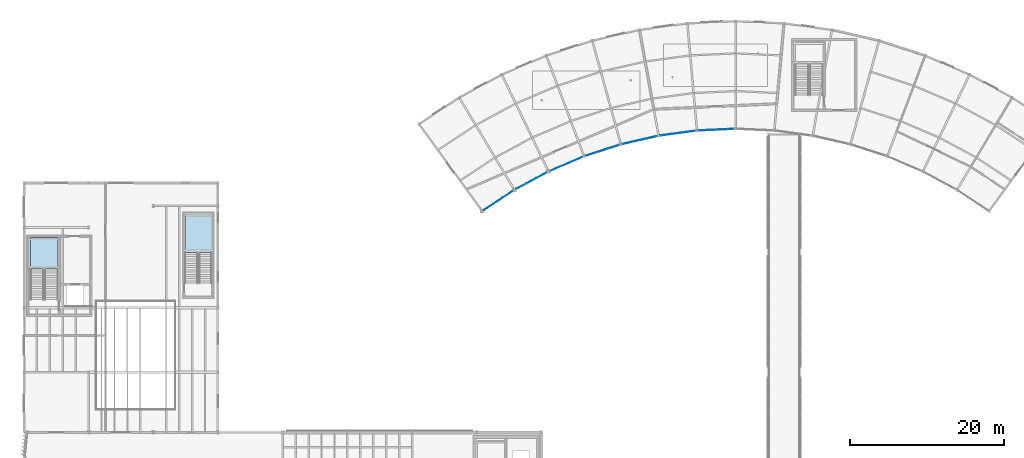
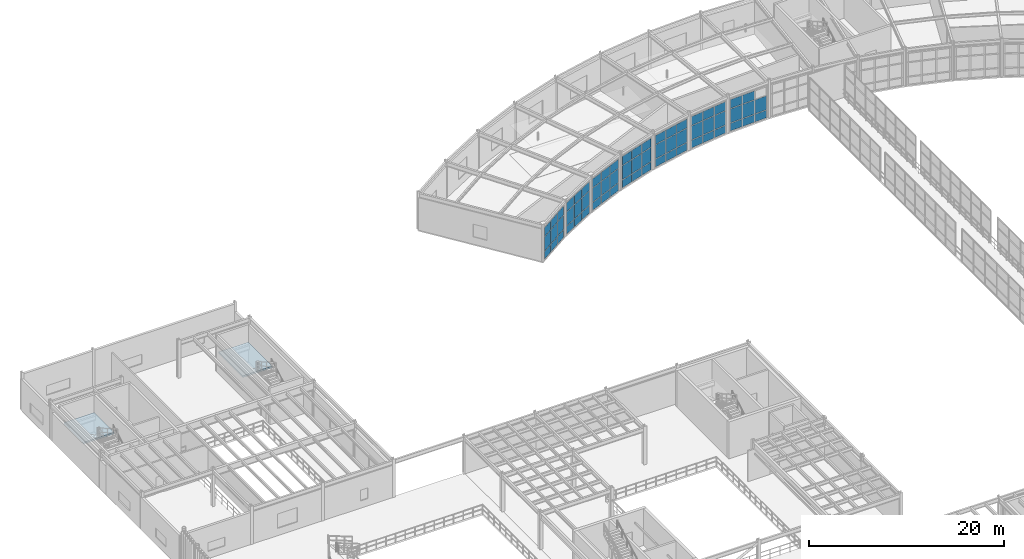
# One storey, part 79 of 105: 62 plates, 2 slabs, 9 elements without a shape of their own.
"""IFC4 building model written with IfcOpenShell, lengths in metres."""

from ifc_helpers import new_model, si_unit, direction, frame, origin, origin_2d, place, context, subcontext, project, spatial, polyline, rectangle, outline, extrude, material, layer, layer_set, type_object, element, aggregate, save


model = new_model("IFC4")

# Units and contexts
model_context = context("Model", 3, precision=1e-05, world=origin(), true_north=direction((0.0, 1.0)))
body_context = subcontext(model_context, "Body", "Model", "MODEL_VIEW")
ifc_project = project(units=[si_unit("LENGTHUNIT", "METRE"), si_unit("AREAUNIT", "SQUARE_METRE"), si_unit("VOLUMEUNIT", "CUBIC_METRE"), si_unit("PLANEANGLEUNIT", "RADIAN"), si_unit("MASSUNIT", "GRAM", prefix="KILO")], contexts=[model_context])

# Site, building, storey
site_placement = place(None, origin())
site = spatial("IfcSite", under=ifc_project, at=site_placement, CompositionType="ELEMENT")
building_placement = place(site_placement, origin())
building = spatial("IfcBuilding", under=site, at=building_placement, Name="Selat Folded Stagehouse", CompositionType="ELEMENT")
storey_placement = place(building_placement, frame((0.0, 0.0, 10.199951171875)))
storey = spatial("IfcBuildingStorey", under=building, at=storey_placement, Name="L02", CompositionType="ELEMENT", Elevation=10.199951171875)

# Curtain wall, plates
ifc_material_1 = material(Name="Aluminium 6063-T6", Category="aluminium")
ifc_layer_1 = layer(ifc_material_1, 0.18994140625)
ifc_layer_set_1 = layer_set([ifc_layer_1], Name="Aluminium 6063-T6")
curtain_wall_type = type_object("IfcCurtainWallType", Name="CW-REH-ARC", PredefinedType="NOTDEFINED", material=ifc_layer_set_1)
curtain_wall_1_placement = place(storey_placement, origin())
curtain_wall_1 = element("IfcCurtainWall", 1, at=curtain_wall_1_placement, inside=storey, type_object=curtain_wall_type, Name="L02 curtain wall CW-REH-L02-00", PredefinedType="NOTDEFINED")
ifc_material_2 = material(Name="Laminated low-E double glazing", Category="glass")
ifc_layer_2 = layer(ifc_material_2, 0.031982421875)
ifc_layer_set_2 = layer_set([ifc_layer_2], Name="Laminated low-E double glazing")
plate_type = type_object("IfcPlateType", Name="CWP-GLZ-DGU32", PredefinedType="CURTAIN_PANEL", material=ifc_layer_set_2)
plate_1_placement = place(storey_placement, frame((62.8271484375, 85.51171875, 0.06494140625), z_axis=(0.0, 0.0, 1.0), x_axis=(-0.834581363399, -0.550884695619, 0.0)))
plate_1 = element("IfcPlate", 2, at=plate_1_placement, type_object=plate_type, Name="CW-06 panel 1.1", PredefinedType="CURTAIN_PANEL", context=body_context, shape_type="SweptSolid", body=[
    extrude(rectangle(XDim=1.418212890625, YDim=0.031982421875, at=origin_2d()), origin(), (0.0, 0.0, 1.0), 0.952392578125),
])
plate_2_placement = place(storey_placement, frame((62.8271484375, 85.51171875, 1.08251953125), z_axis=(0.0, 0.0, 1.0), x_axis=(-0.834581363399, -0.550884695619, 0.0)))
plate_2 = element("IfcPlate", 3, at=plate_2_placement, type_object=plate_type, Name="CW-06 panel 1.2", PredefinedType="CURTAIN_PANEL", context=body_context, shape_type="SweptSolid", body=[
    extrude(rectangle(XDim=1.418212890625, YDim=0.031982421875, at=origin_2d()), origin(), (0.0, 0.0, 1.0), 1.735107421875),
])
plate_3_placement = place(storey_placement, frame((62.8271484375, 85.51171875, 2.882568359375), z_axis=(0.0, 0.0, 1.0), x_axis=(-0.834581363399, -0.550884695619, 0.0)))
plate_3 = element("IfcPlate", 4, at=plate_3_placement, type_object=plate_type, Name="CW-06 panel 1.3", PredefinedType="CURTAIN_PANEL", context=body_context, shape_type="SweptSolid", body=[
    extrude(rectangle(XDim=1.418212890625, YDim=0.031982421875, at=origin_2d()), origin(), (0.0, 0.0, 1.0), 1.1025390625),
])
plate_4_placement = place(storey_placement, frame((61.580810546875, 84.68896484375, 0.06494140625), z_axis=(0.0, 0.0, 1.0), x_axis=(-0.834581363399, -0.550884695619, 0.0)))
plate_4 = element("IfcPlate", 5, at=plate_4_placement, type_object=plate_type, Name="CW-06 panel 2.1", PredefinedType="CURTAIN_PANEL", context=body_context, shape_type="SweptSolid", body=[
    extrude(rectangle(XDim=1.4482421875, YDim=0.031982421875, at=origin_2d()), origin(), (0.0, 0.0, 1.0), 0.952392578125),
])
plate_5_placement = place(storey_placement, frame((61.580810546875, 84.68896484375, 1.08251953125), z_axis=(0.0, 0.0, 1.0), x_axis=(-0.834581363399, -0.550884695619, 0.0)))
plate_5 = element("IfcPlate", 6, at=plate_5_placement, type_object=plate_type, Name="CW-06 panel 2.2", PredefinedType="CURTAIN_PANEL", context=body_context, shape_type="SweptSolid", body=[
    extrude(rectangle(XDim=1.4482421875, YDim=0.031982421875, at=origin_2d()), origin(), (0.0, 0.0, 1.0), 1.735107421875),
])
plate_6_placement = place(storey_placement, frame((61.580810546875, 84.68896484375, 2.882568359375), z_axis=(0.0, 0.0, 1.0), x_axis=(-0.834581363399, -0.550884695619, 0.0)))
plate_6 = element("IfcPlate", 7, at=plate_6_placement, type_object=plate_type, Name="CW-06 panel 2.3", PredefinedType="CURTAIN_PANEL", context=body_context, shape_type="SweptSolid", body=[
    extrude(rectangle(XDim=1.4482421875, YDim=0.031982421875, at=origin_2d()), origin(), (0.0, 0.0, 1.0), 1.1025390625),
])
plate_7_placement = place(storey_placement, frame((60.33447265625, 83.866455078125, 0.06494140625), z_axis=(0.0, 0.0, 1.0), x_axis=(-0.834581363399, -0.550884695619, 0.0)))
plate_7 = element("IfcPlate", 8, at=plate_7_placement, type_object=plate_type, Name="CW-06 panel 3.1", PredefinedType="CURTAIN_PANEL", context=body_context, shape_type="SweptSolid", body=[
    extrude(rectangle(XDim=1.418212890625, YDim=0.031982421875, at=origin_2d()), origin(), (0.0, 0.0, 1.0), 0.952392578125),
])
plate_8_placement = place(storey_placement, frame((60.33447265625, 83.866455078125, 1.08251953125), z_axis=(0.0, 0.0, 1.0), x_axis=(-0.834581363399, -0.550884695619, 0.0)))
plate_8 = element("IfcPlate", 9, at=plate_8_placement, type_object=plate_type, Name="CW-06 panel 3.2", PredefinedType="CURTAIN_PANEL", context=body_context, shape_type="SweptSolid", body=[
    extrude(rectangle(XDim=1.418212890625, YDim=0.031982421875, at=origin_2d()), origin(), (0.0, 0.0, 1.0), 1.735107421875),
])
plate_9_placement = place(storey_placement, frame((60.33447265625, 83.866455078125, 2.882568359375), z_axis=(0.0, 0.0, 1.0), x_axis=(-0.834581363399, -0.550884695619, 0.0)))
plate_9 = element("IfcPlate", 10, at=plate_9_placement, type_object=plate_type, Name="CW-06 panel 3.3", PredefinedType="CURTAIN_PANEL", context=body_context, shape_type="SweptSolid", body=[
    extrude(rectangle(XDim=1.418212890625, YDim=0.031982421875, at=origin_2d()), origin(), (0.0, 0.0, 1.0), 1.1025390625),
])
aggregate(curtain_wall_1, [plate_1, plate_2, plate_3, plate_4, plate_5, plate_6, plate_7, plate_8, plate_9])

curtain_wall_2_placement = place(storey_placement, origin())
curtain_wall_2 = element("IfcCurtainWall", 11, at=curtain_wall_2_placement, inside=storey, type_object=curtain_wall_type, Name="L02 curtain wall CW-REH-L02-01", PredefinedType="NOTDEFINED")
plate_10_placement = place(storey_placement, frame((67.205078125, 87.971435546875, 0.06494140625), z_axis=(0.0, 0.0, 1.0), x_axis=(-0.880600927119, -0.473858636259, 0.0)))
plate_10 = element("IfcPlate", 12, at=plate_10_placement, type_object=plate_type, Name="CW-06 panel 1.1", PredefinedType="CURTAIN_PANEL", context=body_context, shape_type="SweptSolid", body=[
    extrude(rectangle(XDim=1.418212890625, YDim=0.031982421875, at=origin_2d()), origin(), (0.0, 0.0, 1.0), 0.952392578125),
])
plate_11_placement = place(storey_placement, frame((67.205078125, 87.971435546875, 1.08251953125), z_axis=(0.0, 0.0, 1.0), x_axis=(-0.880600927119, -0.473858636259, 0.0)))
plate_11 = element("IfcPlate", 13, at=plate_11_placement, type_object=plate_type, Name="CW-06 panel 1.2", PredefinedType="CURTAIN_PANEL", context=body_context, shape_type="SweptSolid", body=[
    extrude(rectangle(XDim=1.418212890625, YDim=0.031982421875, at=origin_2d()), origin(), (0.0, 0.0, 1.0), 1.735107421875),
])
plate_12_placement = place(storey_placement, frame((67.205078125, 87.971435546875, 2.882568359375), z_axis=(0.0, 0.0, 1.0), x_axis=(-0.880600927119, -0.473858636259, 0.0)))
plate_12 = element("IfcPlate", 14, at=plate_12_placement, type_object=plate_type, Name="CW-06 panel 1.3", PredefinedType="CURTAIN_PANEL", context=body_context, shape_type="SweptSolid", body=[
    extrude(rectangle(XDim=1.418212890625, YDim=0.031982421875, at=origin_2d()), origin(), (0.0, 0.0, 1.0), 1.1025390625),
])
plate_13_placement = place(storey_placement, frame((65.89013671875, 87.263671875, 0.06494140625), z_axis=(0.0, 0.0, 1.0), x_axis=(-0.880600927119, -0.473858636259, 0.0)))
plate_13 = element("IfcPlate", 15, at=plate_13_placement, type_object=plate_type, Name="CW-06 panel 2.1", PredefinedType="CURTAIN_PANEL", context=body_context, shape_type="SweptSolid", body=[
    extrude(rectangle(XDim=1.4482421875, YDim=0.031982421875, at=origin_2d()), origin(), (0.0, 0.0, 1.0), 0.952392578125),
])
plate_14_placement = place(storey_placement, frame((65.89013671875, 87.263671875, 1.08251953125), z_axis=(0.0, 0.0, 1.0), x_axis=(-0.880600927119, -0.473858636259, 0.0)))
plate_14 = element("IfcPlate", 16, at=plate_14_placement, type_object=plate_type, Name="CW-06 panel 2.2", PredefinedType="CURTAIN_PANEL", context=body_context, shape_type="SweptSolid", body=[
    extrude(rectangle(XDim=1.4482421875, YDim=0.031982421875, at=origin_2d()), origin(), (0.0, 0.0, 1.0), 1.735107421875),
])
plate_15_placement = place(storey_placement, frame((65.89013671875, 87.263671875, 2.882568359375), z_axis=(0.0, 0.0, 1.0), x_axis=(-0.880600927119, -0.473858636259, 0.0)))
plate_15 = element("IfcPlate", 17, at=plate_15_placement, type_object=plate_type, Name="CW-06 panel 2.3", PredefinedType="CURTAIN_PANEL", context=body_context, shape_type="SweptSolid", body=[
    extrude(rectangle(XDim=1.4482421875, YDim=0.031982421875, at=origin_2d()), origin(), (0.0, 0.0, 1.0), 1.1025390625),
])
plate_16_placement = place(storey_placement, frame((64.574951171875, 86.55615234375, 0.06494140625), z_axis=(0.0, 0.0, 1.0), x_axis=(-0.880600927119, -0.473858636259, 0.0)))
plate_16 = element("IfcPlate", 18, at=plate_16_placement, type_object=plate_type, Name="CW-06 panel 3.1", PredefinedType="CURTAIN_PANEL", context=body_context, shape_type="SweptSolid", body=[
    extrude(rectangle(XDim=1.418212890625, YDim=0.031982421875, at=origin_2d()), origin(), (0.0, 0.0, 1.0), 0.952392578125),
])
plate_17_placement = place(storey_placement, frame((64.574951171875, 86.55615234375, 1.08251953125), z_axis=(0.0, 0.0, 1.0), x_axis=(-0.880600927119, -0.473858636259, 0.0)))
plate_17 = element("IfcPlate", 19, at=plate_17_placement, type_object=plate_type, Name="CW-06 panel 3.2", PredefinedType="CURTAIN_PANEL", context=body_context, shape_type="SweptSolid", body=[
    extrude(rectangle(XDim=1.418212890625, YDim=0.031982421875, at=origin_2d()), origin(), (0.0, 0.0, 1.0), 1.735107421875),
])
plate_18_placement = place(storey_placement, frame((64.574951171875, 86.55615234375, 2.882568359375), z_axis=(0.0, 0.0, 1.0), x_axis=(-0.880600927119, -0.473858636259, 0.0)))
plate_18 = element("IfcPlate", 20, at=plate_18_placement, type_object=plate_type, Name="CW-06 panel 3.3", PredefinedType="CURTAIN_PANEL", context=body_context, shape_type="SweptSolid", body=[
    extrude(rectangle(XDim=1.418212890625, YDim=0.031982421875, at=origin_2d()), origin(), (0.0, 0.0, 1.0), 1.1025390625),
])
aggregate(curtain_wall_2, [plate_10, plate_11, plate_12, plate_13, plate_14, plate_15, plate_16, plate_17, plate_18])

curtain_wall_3_placement = place(storey_placement, origin())
curtain_wall_3 = element("IfcCurtainWall", 21, at=curtain_wall_3_placement, inside=storey, type_object=curtain_wall_type, Name="L02 curtain wall CW-REH-L02-02", PredefinedType="NOTDEFINED")
plate_19_placement = place(storey_placement, frame((71.785888671875, 90.028564453125, 0.06494140625), z_axis=(0.0, 0.0, 1.0), x_axis=(-0.919533245639, -0.393012226483, 0.0)))
plate_19 = element("IfcPlate", 22, at=plate_19_placement, type_object=plate_type, Name="CW-06 panel 1.1", PredefinedType="CURTAIN_PANEL", context=body_context, shape_type="SweptSolid", body=[
    extrude(rectangle(XDim=1.418212890625, YDim=0.031982421875, at=origin_2d()), origin(), (0.0, 0.0, 1.0), 0.952392578125),
])
plate_20_placement = place(storey_placement, frame((71.785888671875, 90.028564453125, 1.08251953125), z_axis=(0.0, 0.0, 1.0), x_axis=(-0.919533245639, -0.393012226483, 0.0)))
plate_20 = element("IfcPlate", 23, at=plate_20_placement, type_object=plate_type, Name="CW-06 panel 1.2", PredefinedType="CURTAIN_PANEL", context=body_context, shape_type="SweptSolid", body=[
    extrude(rectangle(XDim=1.418212890625, YDim=0.031982421875, at=origin_2d()), origin(), (0.0, 0.0, 1.0), 1.735107421875),
])
plate_21_placement = place(storey_placement, frame((71.785888671875, 90.028564453125, 2.882568359375), z_axis=(0.0, 0.0, 1.0), x_axis=(-0.919533245639, -0.393012226483, 0.0)))
plate_21 = element("IfcPlate", 24, at=plate_21_placement, type_object=plate_type, Name="CW-06 panel 1.3", PredefinedType="CURTAIN_PANEL", context=body_context, shape_type="SweptSolid", body=[
    extrude(rectangle(XDim=1.418212890625, YDim=0.031982421875, at=origin_2d()), origin(), (0.0, 0.0, 1.0), 1.1025390625),
])
plate_22_placement = place(storey_placement, frame((70.412841796875, 89.441650390625, 0.06494140625), z_axis=(0.0, 0.0, 1.0), x_axis=(-0.919533245639, -0.393012226483, 0.0)))
plate_22 = element("IfcPlate", 25, at=plate_22_placement, type_object=plate_type, Name="CW-06 panel 2.1", PredefinedType="CURTAIN_PANEL", context=body_context, shape_type="SweptSolid", body=[
    extrude(rectangle(XDim=1.4482421875, YDim=0.031982421875, at=origin_2d()), origin(), (0.0, 0.0, 1.0), 0.952392578125),
])
plate_23_placement = place(storey_placement, frame((70.412841796875, 89.441650390625, 1.08251953125), z_axis=(0.0, 0.0, 1.0), x_axis=(-0.919533245639, -0.393012226483, 0.0)))
plate_23 = element("IfcPlate", 26, at=plate_23_placement, type_object=plate_type, Name="CW-06 panel 2.2", PredefinedType="CURTAIN_PANEL", context=body_context, shape_type="SweptSolid", body=[
    extrude(rectangle(XDim=1.4482421875, YDim=0.031982421875, at=origin_2d()), origin(), (0.0, 0.0, 1.0), 1.735107421875),
])
plate_24_placement = place(storey_placement, frame((70.412841796875, 89.441650390625, 2.882568359375), z_axis=(0.0, 0.0, 1.0), x_axis=(-0.919533245639, -0.393012226483, 0.0)))
plate_24 = element("IfcPlate", 27, at=plate_24_placement, type_object=plate_type, Name="CW-06 panel 2.3", PredefinedType="CURTAIN_PANEL", context=body_context, shape_type="SweptSolid", body=[
    extrude(rectangle(XDim=1.4482421875, YDim=0.031982421875, at=origin_2d()), origin(), (0.0, 0.0, 1.0), 1.1025390625),
])
plate_25_placement = place(storey_placement, frame((69.03955078125, 88.85498046875, 0.06494140625), z_axis=(0.0, 0.0, 1.0), x_axis=(-0.919533245639, -0.393012226483, 0.0)))
plate_25 = element("IfcPlate", 28, at=plate_25_placement, type_object=plate_type, Name="CW-06 panel 3.1", PredefinedType="CURTAIN_PANEL", context=body_context, shape_type="SweptSolid", body=[
    extrude(rectangle(XDim=1.418212890625, YDim=0.031982421875, at=origin_2d()), origin(), (0.0, 0.0, 1.0), 0.952392578125),
])
plate_26_placement = place(storey_placement, frame((69.03955078125, 88.85498046875, 1.08251953125), z_axis=(0.0, 0.0, 1.0), x_axis=(-0.919533245639, -0.393012226483, 0.0)))
plate_26 = element("IfcPlate", 29, at=plate_26_placement, type_object=plate_type, Name="CW-06 panel 3.2", PredefinedType="CURTAIN_PANEL", context=body_context, shape_type="SweptSolid", body=[
    extrude(rectangle(XDim=1.418212890625, YDim=0.031982421875, at=origin_2d()), origin(), (0.0, 0.0, 1.0), 1.735107421875),
])
plate_27_placement = place(storey_placement, frame((69.03955078125, 88.85498046875, 2.882568359375), z_axis=(0.0, 0.0, 1.0), x_axis=(-0.919533245639, -0.393012226483, 0.0)))
plate_27 = element("IfcPlate", 30, at=plate_27_placement, type_object=plate_type, Name="CW-06 panel 3.3", PredefinedType="CURTAIN_PANEL", context=body_context, shape_type="SweptSolid", body=[
    extrude(rectangle(XDim=1.418212890625, YDim=0.031982421875, at=origin_2d()), origin(), (0.0, 0.0, 1.0), 1.1025390625),
])
aggregate(curtain_wall_3, [plate_19, plate_20, plate_21, plate_22, plate_23, plate_24, plate_25, plate_26, plate_27])

curtain_wall_4_placement = place(storey_placement, origin())
curtain_wall_4 = element("IfcCurtainWall", 31, at=curtain_wall_4_placement, inside=storey, type_object=curtain_wall_type, Name="L02 curtain wall CW-REH-L02-03", PredefinedType="NOTDEFINED")
plate_28_placement = place(storey_placement, frame((76.53271484375, 91.6669921875, 0.06494140625), z_axis=(0.0, 0.0, 1.0), x_axis=(-0.951064760323, -0.308991620714, 0.0)))
plate_28 = element("IfcPlate", 32, at=plate_28_placement, type_object=plate_type, Name="CW-06 panel 1.1", PredefinedType="CURTAIN_PANEL", context=body_context, shape_type="SweptSolid", body=[
    extrude(rectangle(XDim=1.418212890625, YDim=0.031982421875, at=origin_2d()), origin(), (0.0, 0.0, 1.0), 0.952392578125),
])
plate_29_placement = place(storey_placement, frame((76.53271484375, 91.6669921875, 1.08251953125), z_axis=(0.0, 0.0, 1.0), x_axis=(-0.951064760323, -0.308991620714, 0.0)))
plate_29 = element("IfcPlate", 33, at=plate_29_placement, type_object=plate_type, Name="CW-06 panel 1.2", PredefinedType="CURTAIN_PANEL", context=body_context, shape_type="SweptSolid", body=[
    extrude(rectangle(XDim=1.418212890625, YDim=0.031982421875, at=origin_2d()), origin(), (0.0, 0.0, 1.0), 1.735107421875),
])
plate_30_placement = place(storey_placement, frame((76.53271484375, 91.6669921875, 2.882568359375), z_axis=(0.0, 0.0, 1.0), x_axis=(-0.951064760323, -0.308991620714, 0.0)))
plate_30 = element("IfcPlate", 34, at=plate_30_placement, type_object=plate_type, Name="CW-06 panel 1.3", PredefinedType="CURTAIN_PANEL", context=body_context, shape_type="SweptSolid", body=[
    extrude(rectangle(XDim=1.418212890625, YDim=0.031982421875, at=origin_2d()), origin(), (0.0, 0.0, 1.0), 1.1025390625),
])
plate_31_placement = place(storey_placement, frame((75.112548828125, 91.20556640625, 0.06494140625), z_axis=(0.0, 0.0, 1.0), x_axis=(-0.951064760323, -0.308991620714, 0.0)))
plate_31 = element("IfcPlate", 35, at=plate_31_placement, type_object=plate_type, Name="CW-06 panel 2.1", PredefinedType="CURTAIN_PANEL", context=body_context, shape_type="SweptSolid", body=[
    extrude(rectangle(XDim=1.4482421875, YDim=0.031982421875, at=origin_2d()), origin(), (0.0, 0.0, 1.0), 0.952392578125),
])
plate_32_placement = place(storey_placement, frame((75.112548828125, 91.20556640625, 1.08251953125), z_axis=(0.0, 0.0, 1.0), x_axis=(-0.951064760323, -0.308991620714, 0.0)))
plate_32 = element("IfcPlate", 36, at=plate_32_placement, type_object=plate_type, Name="CW-06 panel 2.2", PredefinedType="CURTAIN_PANEL", context=body_context, shape_type="SweptSolid", body=[
    extrude(rectangle(XDim=1.4482421875, YDim=0.031982421875, at=origin_2d()), origin(), (0.0, 0.0, 1.0), 1.735107421875),
])
plate_33_placement = place(storey_placement, frame((75.112548828125, 91.20556640625, 2.882568359375), z_axis=(0.0, 0.0, 1.0), x_axis=(-0.951064760323, -0.308991620714, 0.0)))
plate_33 = element("IfcPlate", 37, at=plate_33_placement, type_object=plate_type, Name="CW-06 panel 2.3", PredefinedType="CURTAIN_PANEL", context=body_context, shape_type="SweptSolid", body=[
    extrude(rectangle(XDim=1.4482421875, YDim=0.031982421875, at=origin_2d()), origin(), (0.0, 0.0, 1.0), 1.1025390625),
])
plate_34_placement = place(storey_placement, frame((73.6923828125, 90.744140625, 0.06494140625), z_axis=(0.0, 0.0, 1.0), x_axis=(-0.951064760323, -0.308991620714, 0.0)))
plate_34 = element("IfcPlate", 38, at=plate_34_placement, type_object=plate_type, Name="CW-06 panel 3.1", PredefinedType="CURTAIN_PANEL", context=body_context, shape_type="SweptSolid", body=[
    extrude(rectangle(XDim=1.418212890625, YDim=0.031982421875, at=origin_2d()), origin(), (0.0, 0.0, 1.0), 0.952392578125),
])
plate_35_placement = place(storey_placement, frame((73.6923828125, 90.744140625, 1.08251953125), z_axis=(0.0, 0.0, 1.0), x_axis=(-0.951064760323, -0.308991620714, 0.0)))
plate_35 = element("IfcPlate", 39, at=plate_35_placement, type_object=plate_type, Name="CW-06 panel 3.2", PredefinedType="CURTAIN_PANEL", context=body_context, shape_type="SweptSolid", body=[
    extrude(rectangle(XDim=1.418212890625, YDim=0.031982421875, at=origin_2d()), origin(), (0.0, 0.0, 1.0), 1.735107421875),
])
plate_36_placement = place(storey_placement, frame((73.6923828125, 90.744140625, 2.882568359375), z_axis=(0.0, 0.0, 1.0), x_axis=(-0.951064760323, -0.308991620714, 0.0)))
plate_36 = element("IfcPlate", 40, at=plate_36_placement, type_object=plate_type, Name="CW-06 panel 3.3", PredefinedType="CURTAIN_PANEL", context=body_context, shape_type="SweptSolid", body=[
    extrude(rectangle(XDim=1.418212890625, YDim=0.031982421875, at=origin_2d()), origin(), (0.0, 0.0, 1.0), 1.1025390625),
])
aggregate(curtain_wall_4, [plate_28, plate_29, plate_30, plate_31, plate_32, plate_33, plate_34, plate_35, plate_36])

curtain_wall_5_placement = place(storey_placement, origin())
curtain_wall_5 = element("IfcCurtainWall", 41, at=curtain_wall_5_placement, inside=storey, type_object=curtain_wall_type, Name="L02 curtain wall CW-REH-L02-04", PredefinedType="NOTDEFINED")
plate_37_placement = place(storey_placement, frame((81.4072265625, 92.873291015625, 0.06494140625), z_axis=(0.0, 0.0, 1.0), x_axis=(-0.974922930026, -0.222542761079, 0.0)))
plate_37 = element("IfcPlate", 42, at=plate_37_placement, type_object=plate_type, Name="CW-06 panel 1.1", PredefinedType="CURTAIN_PANEL", context=body_context, shape_type="SweptSolid", body=[
    extrude(rectangle(XDim=1.418212890625, YDim=0.031982421875, at=origin_2d()), origin(), (0.0, 0.0, 1.0), 0.952392578125),
])
plate_38_placement = place(storey_placement, frame((81.4072265625, 92.873291015625, 1.08251953125), z_axis=(0.0, 0.0, 1.0), x_axis=(-0.974922930026, -0.222542761079, 0.0)))
plate_38 = element("IfcPlate", 43, at=plate_38_placement, type_object=plate_type, Name="CW-06 panel 1.2", PredefinedType="CURTAIN_PANEL", context=body_context, shape_type="SweptSolid", body=[
    extrude(rectangle(XDim=1.418212890625, YDim=0.031982421875, at=origin_2d()), origin(), (0.0, 0.0, 1.0), 1.735107421875),
])
plate_39_placement = place(storey_placement, frame((81.4072265625, 92.873291015625, 2.882568359375), z_axis=(0.0, 0.0, 1.0), x_axis=(-0.974922930026, -0.222542761079, 0.0)))
plate_39 = element("IfcPlate", 44, at=plate_39_placement, type_object=plate_type, Name="CW-06 panel 1.3", PredefinedType="CURTAIN_PANEL", context=body_context, shape_type="SweptSolid", body=[
    extrude(rectangle(XDim=1.418212890625, YDim=0.031982421875, at=origin_2d()), origin(), (0.0, 0.0, 1.0), 1.1025390625),
])
plate_40_placement = place(storey_placement, frame((79.951416015625, 92.541015625, 0.06494140625), z_axis=(0.0, 0.0, 1.0), x_axis=(-0.974922930026, -0.222542761079, 0.0)))
plate_40 = element("IfcPlate", 45, at=plate_40_placement, type_object=plate_type, Name="CW-06 panel 2.1", PredefinedType="CURTAIN_PANEL", context=body_context, shape_type="SweptSolid", body=[
    extrude(rectangle(XDim=1.4482421875, YDim=0.031982421875, at=origin_2d()), origin(), (0.0, 0.0, 1.0), 0.952392578125),
])
plate_41_placement = place(storey_placement, frame((79.951416015625, 92.541015625, 1.08251953125), z_axis=(0.0, 0.0, 1.0), x_axis=(-0.974922930026, -0.222542761079, 0.0)))
plate_41 = element("IfcPlate", 46, at=plate_41_placement, type_object=plate_type, Name="CW-06 panel 2.2", PredefinedType="CURTAIN_PANEL", context=body_context, shape_type="SweptSolid", body=[
    extrude(rectangle(XDim=1.4482421875, YDim=0.031982421875, at=origin_2d()), origin(), (0.0, 0.0, 1.0), 1.735107421875),
])
plate_42_placement = place(storey_placement, frame((79.951416015625, 92.541015625, 2.882568359375), z_axis=(0.0, 0.0, 1.0), x_axis=(-0.974922930026, -0.222542761079, 0.0)))
plate_42 = element("IfcPlate", 47, at=plate_42_placement, type_object=plate_type, Name="CW-06 panel 2.3", PredefinedType="CURTAIN_PANEL", context=body_context, shape_type="SweptSolid", body=[
    extrude(rectangle(XDim=1.4482421875, YDim=0.031982421875, at=origin_2d()), origin(), (0.0, 0.0, 1.0), 1.1025390625),
])
plate_43_placement = place(storey_placement, frame((78.495361328125, 92.208740234375, 0.06494140625), z_axis=(0.0, 0.0, 1.0), x_axis=(-0.974922930026, -0.222542761079, 0.0)))
plate_43 = element("IfcPlate", 48, at=plate_43_placement, type_object=plate_type, Name="CW-06 panel 3.1", PredefinedType="CURTAIN_PANEL", context=body_context, shape_type="SweptSolid", body=[
    extrude(rectangle(XDim=1.418212890625, YDim=0.031982421875, at=origin_2d()), origin(), (0.0, 0.0, 1.0), 0.952392578125),
])
plate_44_placement = place(storey_placement, frame((78.495361328125, 92.208740234375, 1.08251953125), z_axis=(0.0, 0.0, 1.0), x_axis=(-0.974922930026, -0.222542761079, 0.0)))
plate_44 = element("IfcPlate", 49, at=plate_44_placement, type_object=plate_type, Name="CW-06 panel 3.2", PredefinedType="CURTAIN_PANEL", context=body_context, shape_type="SweptSolid", body=[
    extrude(rectangle(XDim=1.418212890625, YDim=0.031982421875, at=origin_2d()), origin(), (0.0, 0.0, 1.0), 1.735107421875),
])
plate_45_placement = place(storey_placement, frame((78.495361328125, 92.208740234375, 2.882568359375), z_axis=(0.0, 0.0, 1.0), x_axis=(-0.974922930026, -0.222542761079, 0.0)))
plate_45 = element("IfcPlate", 50, at=plate_45_placement, type_object=plate_type, Name="CW-06 panel 3.3", PredefinedType="CURTAIN_PANEL", context=body_context, shape_type="SweptSolid", body=[
    extrude(rectangle(XDim=1.418212890625, YDim=0.031982421875, at=origin_2d()), origin(), (0.0, 0.0, 1.0), 1.1025390625),
])
aggregate(curtain_wall_5, [plate_37, plate_38, plate_39, plate_40, plate_41, plate_42, plate_43, plate_44, plate_45])

curtain_wall_6_placement = place(storey_placement, origin())
curtain_wall_6 = element("IfcCurtainWall", 51, at=curtain_wall_6_placement, inside=storey, type_object=curtain_wall_type, Name="L02 curtain wall CW-REH-L02-05", PredefinedType="NOTDEFINED")
plate_46_placement = place(storey_placement, frame((86.370361328125, 93.6376953125, 0.06494140625), z_axis=(0.0, 0.0, 1.0), x_axis=(-0.990952673876, -0.134211766018, 0.0)))
plate_46 = element("IfcPlate", 52, at=plate_46_placement, type_object=plate_type, Name="CW-06 panel 1.1", PredefinedType="CURTAIN_PANEL", context=body_context, shape_type="SweptSolid", body=[
    extrude(rectangle(XDim=1.418212890625, YDim=0.031982421875, at=origin_2d()), origin(), (0.0, 0.0, 1.0), 0.952392578125),
])
plate_47_placement = place(storey_placement, frame((86.370361328125, 93.6376953125, 1.08251953125), z_axis=(0.0, 0.0, 1.0), x_axis=(-0.990952673876, -0.134211766018, 0.0)))
plate_47 = element("IfcPlate", 53, at=plate_47_placement, type_object=plate_type, Name="CW-06 panel 1.2", PredefinedType="CURTAIN_PANEL", context=body_context, shape_type="SweptSolid", body=[
    extrude(rectangle(XDim=1.418212890625, YDim=0.031982421875, at=origin_2d()), origin(), (0.0, 0.0, 1.0), 1.735107421875),
])
plate_48_placement = place(storey_placement, frame((86.370361328125, 93.6376953125, 2.882568359375), z_axis=(0.0, 0.0, 1.0), x_axis=(-0.990952673876, -0.134211766018, 0.0)))
plate_48 = element("IfcPlate", 54, at=plate_48_placement, type_object=plate_type, Name="CW-06 panel 1.3", PredefinedType="CURTAIN_PANEL", context=body_context, shape_type="SweptSolid", body=[
    extrude(rectangle(XDim=1.418212890625, YDim=0.031982421875, at=origin_2d()), origin(), (0.0, 0.0, 1.0), 1.1025390625),
])
plate_49_placement = place(storey_placement, frame((84.890380859375, 93.437255859375, 0.06494140625), z_axis=(0.0, 0.0, 1.0), x_axis=(-0.990952673876, -0.134211766018, 0.0)))
plate_49 = element("IfcPlate", 55, at=plate_49_placement, type_object=plate_type, Name="CW-06 panel 2.1", PredefinedType="CURTAIN_PANEL", context=body_context, shape_type="SweptSolid", body=[
    extrude(rectangle(XDim=1.4482421875, YDim=0.031982421875, at=origin_2d()), origin(), (0.0, 0.0, 1.0), 0.952392578125),
])
plate_50_placement = place(storey_placement, frame((84.890380859375, 93.437255859375, 1.08251953125), z_axis=(0.0, 0.0, 1.0), x_axis=(-0.990952673876, -0.134211766018, 0.0)))
plate_50 = element("IfcPlate", 56, at=plate_50_placement, type_object=plate_type, Name="CW-06 panel 2.2", PredefinedType="CURTAIN_PANEL", context=body_context, shape_type="SweptSolid", body=[
    extrude(rectangle(XDim=1.4482421875, YDim=0.031982421875, at=origin_2d()), origin(), (0.0, 0.0, 1.0), 1.735107421875),
])
plate_51_placement = place(storey_placement, frame((84.890380859375, 93.437255859375, 2.882568359375), z_axis=(0.0, 0.0, 1.0), x_axis=(-0.990952673876, -0.134211766018, 0.0)))
plate_51 = element("IfcPlate", 57, at=plate_51_placement, type_object=plate_type, Name="CW-06 panel 2.3", PredefinedType="CURTAIN_PANEL", context=body_context, shape_type="SweptSolid", body=[
    extrude(rectangle(XDim=1.4482421875, YDim=0.031982421875, at=origin_2d()), origin(), (0.0, 0.0, 1.0), 1.1025390625),
])
plate_52_placement = place(storey_placement, frame((83.41064453125, 93.23681640625, 0.06494140625), z_axis=(0.0, 0.0, 1.0), x_axis=(-0.990952673876, -0.134211766018, 0.0)))
plate_52 = element("IfcPlate", 58, at=plate_52_placement, type_object=plate_type, Name="CW-06 panel 3.1", PredefinedType="CURTAIN_PANEL", context=body_context, shape_type="SweptSolid", body=[
    extrude(rectangle(XDim=1.418212890625, YDim=0.031982421875, at=origin_2d()), origin(), (0.0, 0.0, 1.0), 0.952392578125),
])
plate_53_placement = place(storey_placement, frame((83.41064453125, 93.23681640625, 1.08251953125), z_axis=(0.0, 0.0, 1.0), x_axis=(-0.990952673876, -0.134211766018, 0.0)))
plate_53 = element("IfcPlate", 59, at=plate_53_placement, type_object=plate_type, Name="CW-06 panel 3.2", PredefinedType="CURTAIN_PANEL", context=body_context, shape_type="SweptSolid", body=[
    extrude(rectangle(XDim=1.418212890625, YDim=0.031982421875, at=origin_2d()), origin(), (0.0, 0.0, 1.0), 1.735107421875),
])
plate_54_placement = place(storey_placement, frame((83.41064453125, 93.23681640625, 2.882568359375), z_axis=(0.0, 0.0, 1.0), x_axis=(-0.990952673876, -0.134211766018, 0.0)))
plate_54 = element("IfcPlate", 60, at=plate_54_placement, type_object=plate_type, Name="CW-06 panel 3.3", PredefinedType="CURTAIN_PANEL", context=body_context, shape_type="SweptSolid", body=[
    extrude(rectangle(XDim=1.418212890625, YDim=0.031982421875, at=origin_2d()), origin(), (0.0, 0.0, 1.0), 1.1025390625),
])
aggregate(curtain_wall_6, [plate_46, plate_47, plate_48, plate_49, plate_50, plate_51, plate_52, plate_53, plate_54])

curtain_wall_7_placement = place(storey_placement, origin())
curtain_wall_7 = element("IfcCurtainWall", 61, at=curtain_wall_7_placement, inside=storey, type_object=curtain_wall_type, Name="L02 curtain wall CW-REH-L02-06", PredefinedType="NOTDEFINED")
plate_55_placement = place(storey_placement, frame((91.3818359375, 93.954345703125, 0.06494140625), z_axis=(0.0, 0.0, 1.0), x_axis=(-0.998993179436, -0.044862316478, 0.0)))
plate_55 = element("IfcPlate", 62, at=plate_55_placement, type_object=plate_type, Name="CW-06 panel 1.1", PredefinedType="CURTAIN_PANEL", context=body_context, shape_type="SweptSolid", body=[
    extrude(rectangle(XDim=1.418212890625, YDim=0.031982421875, at=origin_2d()), origin(), (0.0, 0.0, 1.0), 0.952392578125),
])
plate_56_placement = place(storey_placement, frame((91.3818359375, 93.954345703125, 1.08251953125), z_axis=(0.0, 0.0, 1.0), x_axis=(-0.998993179436, -0.044862316478, 0.0)))
plate_56 = element("IfcPlate", 63, at=plate_56_placement, type_object=plate_type, Name="CW-06 panel 1.2", PredefinedType="CURTAIN_PANEL", context=body_context, shape_type="SweptSolid", body=[
    extrude(rectangle(XDim=1.418212890625, YDim=0.031982421875, at=origin_2d()), origin(), (0.0, 0.0, 1.0), 1.735107421875),
])
plate_57_placement = place(storey_placement, frame((89.89013671875, 93.88720703125, 0.06494140625), z_axis=(0.0, 0.0, 1.0), x_axis=(-0.998993179436, -0.044862316478, 0.0)))
plate_57 = element("IfcPlate", 64, at=plate_57_placement, type_object=plate_type, Name="CW-06 panel 2.1", PredefinedType="CURTAIN_PANEL", context=body_context, shape_type="SweptSolid", body=[
    extrude(rectangle(XDim=1.4482421875, YDim=0.031982421875, at=origin_2d()), origin(), (0.0, 0.0, 1.0), 0.952392578125),
])
plate_58_placement = place(storey_placement, frame((89.89013671875, 93.88720703125, 1.08251953125), z_axis=(0.0, 0.0, 1.0), x_axis=(-0.998993179436, -0.044862316478, 0.0)))
plate_58 = element("IfcPlate", 65, at=plate_58_placement, type_object=plate_type, Name="CW-06 panel 2.2", PredefinedType="CURTAIN_PANEL", context=body_context, shape_type="SweptSolid", body=[
    extrude(rectangle(XDim=1.4482421875, YDim=0.031982421875, at=origin_2d()), origin(), (0.0, 0.0, 1.0), 1.735107421875),
])
plate_59_placement = place(storey_placement, frame((89.89013671875, 93.88720703125, 2.882568359375), z_axis=(0.0, 0.0, 1.0), x_axis=(-0.998993179436, -0.044862316478, 0.0)))
plate_59 = element("IfcPlate", 66, at=plate_59_placement, type_object=plate_type, Name="CW-06 panel 2.3", PredefinedType="CURTAIN_PANEL", context=body_context, shape_type="SweptSolid", body=[
    extrude(rectangle(XDim=1.4482421875, YDim=0.031982421875, at=origin_2d()), origin(), (0.0, 0.0, 1.0), 1.1025390625),
])
plate_60_placement = place(storey_placement, frame((88.398193359375, 93.8203125, 0.06494140625), z_axis=(0.0, 0.0, 1.0), x_axis=(-0.998993179436, -0.044862316478, 0.0)))
plate_60 = element("IfcPlate", 67, at=plate_60_placement, type_object=plate_type, Name="CW-06 panel 3.1", PredefinedType="CURTAIN_PANEL", context=body_context, shape_type="SweptSolid", body=[
    extrude(rectangle(XDim=1.418212890625, YDim=0.031982421875, at=origin_2d()), origin(), (0.0, 0.0, 1.0), 0.952392578125),
])
plate_61_placement = place(storey_placement, frame((88.398193359375, 93.8203125, 1.08251953125), z_axis=(0.0, 0.0, 1.0), x_axis=(-0.998993179436, -0.044862316478, 0.0)))
plate_61 = element("IfcPlate", 68, at=plate_61_placement, type_object=plate_type, Name="CW-06 panel 3.2", PredefinedType="CURTAIN_PANEL", context=body_context, shape_type="SweptSolid", body=[
    extrude(rectangle(XDim=1.418212890625, YDim=0.031982421875, at=origin_2d()), origin(), (0.0, 0.0, 1.0), 1.735107421875),
])
plate_62_placement = place(storey_placement, frame((88.398193359375, 93.8203125, 2.882568359375), z_axis=(0.0, 0.0, 1.0), x_axis=(-0.998993179436, -0.044862316478, 0.0)))
plate_62 = element("IfcPlate", 69, at=plate_62_placement, type_object=plate_type, Name="CW-06 panel 3.3", PredefinedType="CURTAIN_PANEL", context=body_context, shape_type="SweptSolid", body=[
    extrude(rectangle(XDim=1.418212890625, YDim=0.031982421875, at=origin_2d()), origin(), (0.0, 0.0, 1.0), 1.1025390625),
])
aggregate(curtain_wall_7, [plate_55, plate_56, plate_57, plate_58, plate_59, plate_60, plate_61, plate_62])

# Stair, slab
ifc_material_3 = material(Name="Concrete C40/50", Category="concrete")
stair_type_1 = type_object("IfcStairType", Name="STR-DOG-1720-30R", PredefinedType="HALF_TURN_STAIR", material=ifc_material_3)
stair_1_placement = place(storey_placement, origin())
stair_1 = element("IfcStair", 70, at=stair_1_placement, inside=storey, type_object=stair_type_1, Name="L02 Core 5 Black-Box West Core", PredefinedType="HALF_TURN_STAIR")
ifc_layer_3 = layer(ifc_material_3, 0.199951171875)
ifc_layer_set_3 = layer_set([ifc_layer_3], Name="Concrete C40/50")
slab_type = type_object("IfcSlabType", Name="SLAB-STR-LDG-200", PredefinedType="LANDING", material=ifc_layer_set_3)
slab_1_placement = place(storey_placement, frame((0.0, 0.0, 2.199951171875)))
slab_1 = element("IfcSlab", 71, at=slab_1_placement, type_object=slab_type, Name="ST-1720-30R landing 1", PredefinedType="LANDING", context=body_context, shape_type="SweptSolid", body=[
    extrude(outline(polyline([(4.449951171875, 75.830078125), (4.449951171875, 79.919921875), (0.85009765625, 79.919921875), (0.85009765625, 75.830078125), (4.449951171875, 75.830078125)])), origin(), (0.0, 0.0, 1.0), 0.2001953125),
])
aggregate(stair_1, [slab_1])

stair_type_2 = type_object("IfcStairType", Name="STR-DOG-1680-30R", PredefinedType="HALF_TURN_STAIR", material=ifc_material_3)
stair_2_placement = place(storey_placement, origin())
stair_2 = element("IfcStair", 72, at=stair_2_placement, inside=storey, type_object=stair_type_2, Name="L02 Backstage Technical Stair ST-07", PredefinedType="HALF_TURN_STAIR")
slab_2_placement = place(storey_placement, frame((0.0, 0.0, 2.199951171875)))
slab_2 = element("IfcSlab", 73, at=slab_2_placement, type_object=slab_type, Name="ST-1680-30R landing 1", PredefinedType="LANDING", context=body_context, shape_type="SweptSolid", body=[
    extrude(outline(polyline([(24.419921875, 77.969970703125), (24.419921875, 82.949951171875), (20.89990234375, 82.949951171875), (20.89990234375, 77.969970703125), (24.419921875, 77.969970703125)])), origin(), (0.0, 0.0, 1.0), 0.2001953125),
])
aggregate(stair_2, [slab_2])

save(model, "model.ifc")
